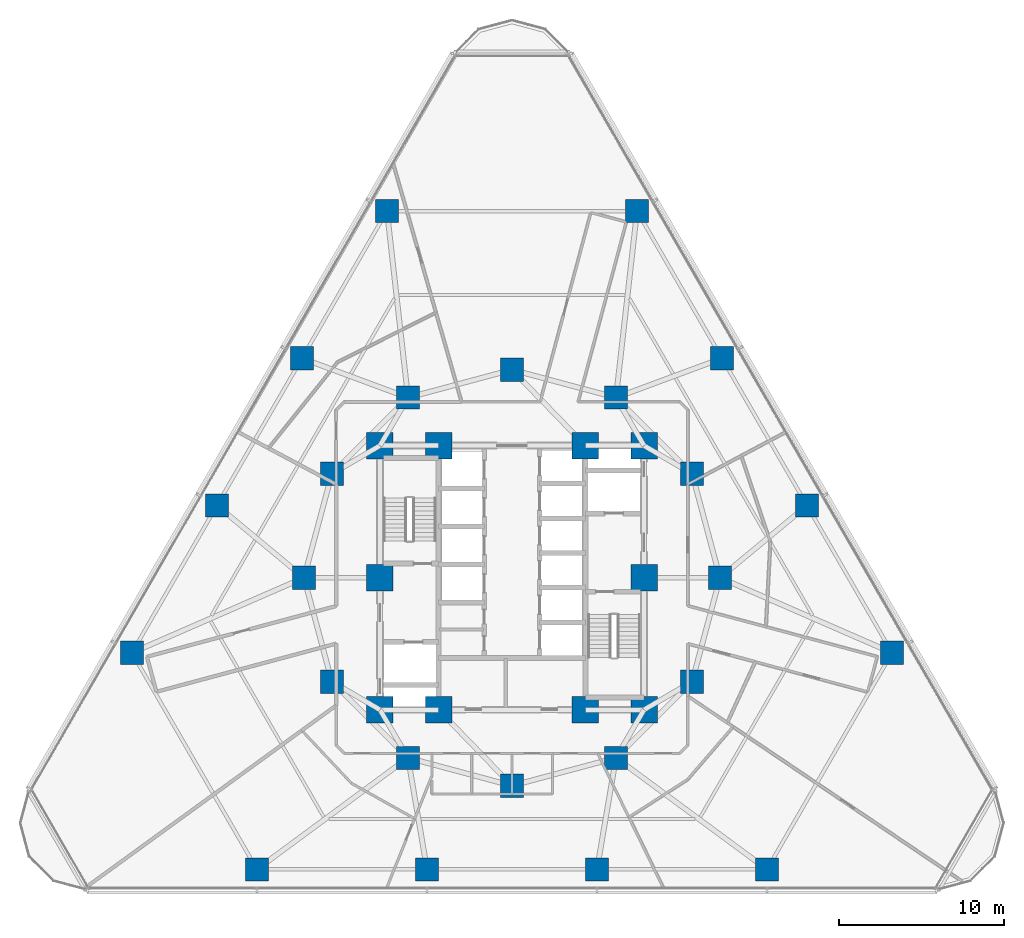
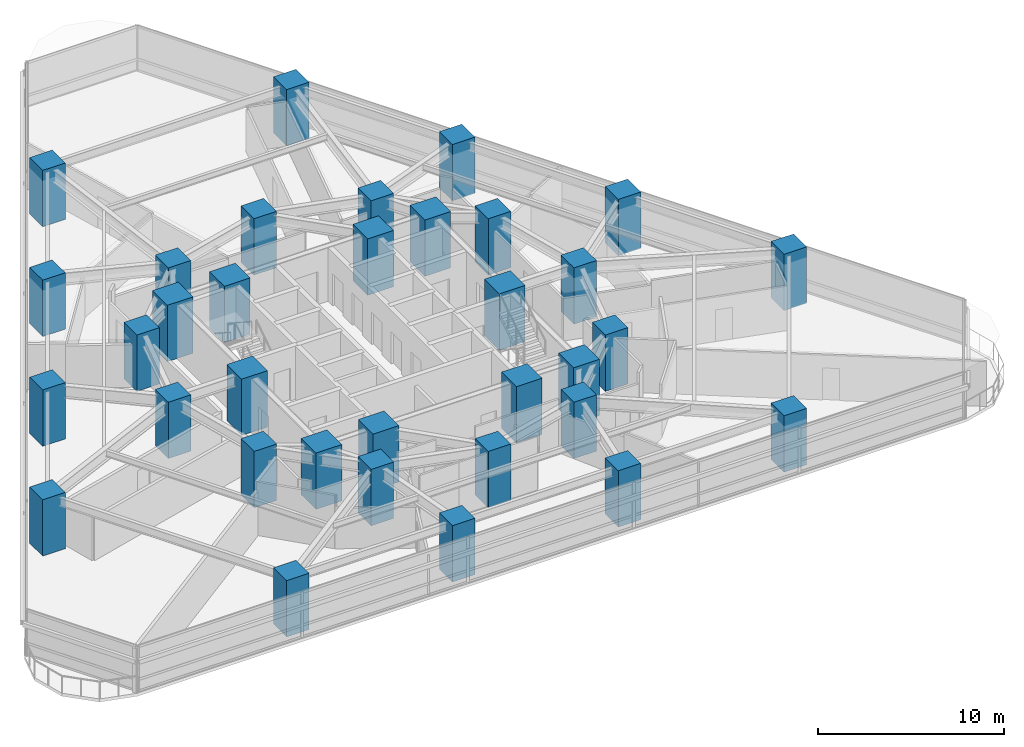
# One storey, part 1 of 16: 34 columns.
"""IFC4 building model written with IfcOpenShell, lengths in metres."""

import ifcopenshell
import ifcopenshell.guid

model = None  # the IFC model being written
_history = None  # IfcOwnerHistory: only IFC2X3 demands one
_inside = {}  # id of a spatial element -> (the spatial element, [elements in it])
_under = {}  # id of a project, library or spatial element -> (it, [spatial elements below it])
_declared = {}  # id of a project -> (the project, [libraries it declares])
_typed = {}  # id of a type object -> (the type object, [elements of that type])
_made_of = {}  # id of a material, layer set ... -> (it, [elements and type objects made of it])


def new_model(schema):
    """Start an empty IFC model of exactly this schema.

    Asked for "IFC4X3", IfcOpenShell would pick the latest addendum, in which some entities
    have other attributes; the version numbers below select the first issue.
    IFC2X3 requires an IfcOwnerHistory on every rooted entity: one is made here for all.
    """
    global model, _history
    if schema == "IFC4X3":
        model = ifcopenshell.file(schema_version=(4, 3, 0, 0))
    else:
        model = ifcopenshell.file(schema=schema)
    _inside.clear()
    _under.clear()
    _declared.clear()
    _typed.clear()
    _made_of.clear()
    _history = None
    if model.schema == "IFC2X3":
        org = make("IfcOrganization", Name="unknown")
        user = make(
            "IfcPersonAndOrganization",
            ThePerson=make("IfcPerson", FamilyName="unknown"),
            TheOrganization=org,
        )
        app = make(
            "IfcApplication",
            ApplicationDeveloper=org,
            Version="unknown",
            ApplicationFullName="unknown",
            ApplicationIdentifier="unknown",
        )
        _history = make(
            "IfcOwnerHistory",
            OwningUser=user,
            OwningApplication=app,
            ChangeAction="ADDED",
            CreationDate=0,
        )
    return model


def make(cls, **values):
    """One entity of the class cls with the attributes given. An attribute that is None is left unset."""
    return model.create_entity(
        cls, **{name: value for name, value in values.items() if value is not None}
    )


def rooted(cls, **values):
    """An entity with a GlobalId (a new one), such as an element, a storey or a relation."""
    return make(cls, GlobalId=ifcopenshell.guid.new(), OwnerHistory=_history, **values)


def si_unit(unit_type, name, prefix=None):
    """IfcSIUnit, for example si_unit("LENGTHUNIT", "METRE", prefix="MILLI")."""
    return make("IfcSIUnit", UnitType=unit_type, Prefix=prefix, Name=name)


def assignment(units):
    """IfcUnitAssignment: the units of a project."""
    return None if units is None else make("IfcUnitAssignment", Units=units)


def point(xyz):
    """IfcCartesianPoint."""
    return None if xyz is None else make("IfcCartesianPoint", Coordinates=xyz)


def direction(xyz):
    """IfcDirection."""
    return None if xyz is None else make("IfcDirection", DirectionRatios=xyz)


def frame(location, z_axis=None, x_axis=None):
    """IfcAxis2Placement3D, a coordinate frame: its origin and axes. An axis left out is left unset."""
    return make(
        "IfcAxis2Placement3D",
        Location=point(location),
        Axis=direction(z_axis),
        RefDirection=direction(x_axis),
    )


def frame_2d(location, x_axis=None):
    """IfcAxis2Placement2D, a coordinate frame in the plane: its origin and x axis."""
    return make(
        "IfcAxis2Placement2D", Location=point(location), RefDirection=direction(x_axis)
    )


def origin():
    """The frame at (0, 0, 0) with its axes left unset."""
    return frame((0.0, 0.0, 0.0))


def origin_2d():
    """The frame at (0, 0) in the plane with its x axis left unset."""
    return frame_2d((0.0, 0.0))


def place(relative_to, where):
    """IfcLocalPlacement: puts the frame where relative to a parent placement (None: the world)."""
    return make(
        "IfcLocalPlacement", PlacementRelTo=relative_to, RelativePlacement=where
    )


def context(
    kind, dimensions, precision=None, world=None, true_north=None, identifier=None
):
    """IfcGeometricRepresentationContext, for example the 3D "Model" context."""
    return make(
        "IfcGeometricRepresentationContext",
        ContextIdentifier=identifier,
        ContextType=kind,
        CoordinateSpaceDimension=dimensions,
        Precision=precision,
        WorldCoordinateSystem=world,
        TrueNorth=true_north,
    )


def subcontext(parent, identifier, kind, view, scale=None):
    """IfcGeometricRepresentationSubContext, for example "Body" below "Model"."""
    return make(
        "IfcGeometricRepresentationSubContext",
        ContextIdentifier=identifier,
        ContextType=kind,
        ParentContext=parent,
        TargetScale=scale,
        TargetView=view,
    )


def project(units=None, contexts=None):
    """IfcProject with its units and contexts."""
    return rooted(
        "IfcProject",
        Name="project",
        RepresentationContexts=contexts,
        UnitsInContext=assignment(units),
    )


def spatial(cls, under=None, at=None, **own):
    """A site, building, storey or space (cls), placed at a placement, below another one or the project."""
    s = rooted(cls, ObjectPlacement=at, **own)
    if under is not None:
        _under.setdefault(under.id(), (under, []))[1].append(s)
    return s


def profile(cls, at=None, kind="AREA", **sizes):
    """A parametric profile (cls). Its sizes go by their IFC names, for example OverallWidth=200.0."""
    return make(cls, ProfileType=kind, Position=at, **sizes)


def rectangle(**sizes):
    """IfcRectangleProfileDef."""
    return profile("IfcRectangleProfileDef", **sizes)


def extrude(swept, where, along, depth):
    """IfcExtrudedAreaSolid: the profile swept, set in the frame where, extruded along a direction by depth."""
    return make(
        "IfcExtrudedAreaSolid",
        SweptArea=swept,
        Position=where,
        ExtrudedDirection=direction(along),
        Depth=depth,
    )


def shape(context_of_items, identifier, shape_type, items):
    """IfcShapeRepresentation: the items that make up one representation, for example the "Body"."""
    return make(
        "IfcShapeRepresentation",
        ContextOfItems=context_of_items,
        RepresentationIdentifier=identifier,
        RepresentationType=shape_type,
        Items=items,
    )


def material(Name=None, Category=None):
    """IfcMaterial."""
    return make("IfcMaterial", Name=Name, Category=Category)


def material_profile(
    of_material, cross_section, Name=None, Category=None, Priority=None
):
    """IfcMaterialProfile: a cross section and its material."""
    return make(
        "IfcMaterialProfile",
        Name=Name,
        Material=of_material,
        Profile=cross_section,
        Priority=Priority,
        Category=Category,
    )


def profile_set(profiles, Name=None, composite=None):
    """IfcMaterialProfileSet."""
    return make(
        "IfcMaterialProfileSet",
        Name=Name,
        MaterialProfiles=profiles,
        CompositeProfile=composite,
    )


def made_of(thing, what):
    """Note that an element or type object is made of a material, layer set ...; save() writes the relation."""
    if what is not None:
        _made_of.setdefault(what.id(), (what, []))[1].append(thing)
    return thing


def type_object(cls, material=None, **own):
    """A type object (cls), such as IfcWallType, which elements share."""
    return made_of(rooted(cls, **own), material)


def element(
    cls,
    number,
    at=None,
    inside=None,
    cuts=None,
    type_object=None,
    material=None,
    context=None,
    identifier="Body",
    shape_type=None,
    held_by="IfcProductDefinitionShape",
    body=None,
    shapes=None,
    **own,
):
    """One element of the class cls, such as IfcWall. Its Tag is "e" and its number.

    at: its placement. inside: the storey or other place that contains it. cuts: it is an
    opening in that element (IfcRelVoidsElement). A single representation is given by context,
    identifier, shape_type and body (its items); several are given by shapes. held_by: the class
    of the entity that holds the representations. save() writes the other relations.
    """
    e = rooted(cls, Tag="e%d" % number, ObjectPlacement=at, **own)
    if body is not None:
        shapes = [shape(context, identifier, shape_type, body)]
    if shapes is not None:
        e.Representation = make(held_by, Representations=shapes)
    if inside is not None:
        _inside.setdefault(inside.id(), (inside, []))[1].append(e)
    if cuts is not None:
        rooted(
            "IfcRelVoidsElement", RelatingBuildingElement=cuts, RelatedOpeningElement=e
        )
    if type_object is not None:
        _typed.setdefault(type_object.id(), (type_object, []))[1].append(e)
    return made_of(e, material)


def aggregate(whole, parts):
    """IfcRelAggregates: a whole, such as a stair, and the parts it consists of."""
    return rooted("IfcRelAggregates", RelatingObject=whole, RelatedObjects=parts)


def save(model, path):
    """Write the relations noted so far, then the file.

    IfcRelAggregates (storeys below a building ...), IfcRelContainedInSpatialStructure (elements
    in a storey), IfcRelDefinesByType, IfcRelAssociatesMaterial and IfcRelDeclares: one each for
    every whole, place, type object, material and project.
    """
    for whole, parts in _under.values():
        aggregate(whole, parts)
    for where, things in _inside.values():
        rooted(
            "IfcRelContainedInSpatialStructure",
            RelatedElements=things,
            RelatingStructure=where,
        )
    for kind, things in _typed.values():
        rooted("IfcRelDefinesByType", RelatedObjects=things, RelatingType=kind)
    for what, things in _made_of.values():
        rooted("IfcRelAssociatesMaterial", RelatedObjects=things, RelatingMaterial=what)
    for by, libraries in _declared.values():
        rooted("IfcRelDeclares", RelatingContext=by, RelatedDefinitions=libraries)
    model.write(path)


model = new_model("IFC4")

# Units and contexts
model_context = context("Model", 3, precision=1e-05, world=origin(), true_north=direction((0.0, 1.0)))
body_context = subcontext(model_context, "Body", "Model", "MODEL_VIEW")
ifc_project = project(units=[si_unit("LENGTHUNIT", "METRE"), si_unit("AREAUNIT", "SQUARE_METRE"), si_unit("VOLUMEUNIT", "CUBIC_METRE"), si_unit("PLANEANGLEUNIT", "RADIAN"), si_unit("MASSUNIT", "GRAM", prefix="KILO")], contexts=[model_context])

# Site, building, storey
site_placement = place(None, origin())
site = spatial("IfcSite", under=ifc_project, at=site_placement, CompositionType="ELEMENT")
building_placement = place(site_placement, origin())
building = spatial("IfcBuilding", under=site, at=building_placement, Name="Terralouvre Media Tower", CompositionType="ELEMENT")
storey_placement = place(building_placement, frame((0.0, 0.0, 37.10009765625)))
storey = spatial("IfcBuildingStorey", under=building, at=storey_placement, Name="L08", CompositionType="ELEMENT", Elevation=37.10009765625)

# Columns
ifc_material_1 = material(Name="Concrete C60/75", Category="concrete")
ifc_material_profile_1 = material_profile(ifc_material_1, rectangle(XDim=1.39990234375, YDim=1.39990234375, at=origin_2d()), Name="RC 1400x1400")
ifc_profile_set_1 = profile_set([ifc_material_profile_1], Name="Concrete C60/75")
column_type_1 = type_object("IfcColumnType", Name="Structural Column C-RC1400 (RC 1400x1400)", PredefinedType="COLUMN", material=ifc_profile_set_1)
for number, where, z_axis, x_axis, name in (
    (1, (12.60009765625, 0.0, 0.0), (0.0, 0.0, 1.0), (1.0, 0.0, 0.0), "L08 Mega-Frame Column MC01"),
    (2, (10.911865234375, 6.300048828125, 0.0), (0.0, 0.0, 1.0), (1.0, 0.0, 0.0), "L08 Mega-Frame Column MC02"),
    (3, (6.300048828125, 10.911865234375, 0.0), (0.0, 0.0, 1.0), (1.0, 0.0, 0.0), "L08 Mega-Frame Column MC03"),
    (4, (0.0, 12.60009765625, 0.0), (0.0, 0.0, 1.0), (1.0, 0.0, 0.0), "L08 Mega-Frame Column MC04"),
    (5, (-6.300048828125, 10.911865234375, 0.0), (0.0, 0.0, 1.0), (1.0, 0.0, 0.0), "L08 Mega-Frame Column MC05"),
    (6, (-10.911865234375, 6.300048828125, 0.0), (0.0, 0.0, 1.0), (1.0, 0.0, 0.0), "L08 Mega-Frame Column MC06"),
    (7, (-12.60009765625, 0.0, 0.0), (0.0, 0.0, 1.0), (1.0, 0.0, 0.0), "L08 Mega-Frame Column MC07"),
    (8, (-10.911865234375, -6.300048828125, 0.0), (0.0, 0.0, 1.0), (1.0, 0.0, 0.0), "L08 Mega-Frame Column MC08"),
    (9, (-6.300048828125, -10.911865234375, 0.0), (0.0, 0.0, 1.0), (1.0, 0.0, 0.0), "L08 Mega-Frame Column MC09"),
    (10, (0.0, -12.60009765625, 0.0), (0.0, 0.0, 1.0), (1.0, 0.0, 0.0), "L08 Mega-Frame Column MC10"),
    (11, (6.300048828125, -10.911865234375, 0.0), (0.0, 0.0, 1.0), (1.0, 0.0, 0.0), "L08 Mega-Frame Column MC11"),
    (12, (10.911865234375, -6.300048828125, 0.0), (0.0, 0.0, 1.0), (1.0, 0.0, 0.0), "L08 Mega-Frame Column MC12"),
    (13, (-15.449951171875, -17.666748046875, 0.0), (0.0, 0.0, 1.0), (1.0, 0.0, 0.0), "L08 Perimeter Mega-Column PC11"),
    (14, (-5.14990234375, -17.666748046875, 0.0), (0.0, 0.0, 1.0), (1.0, 0.0, 0.0), "L08 Perimeter Mega-Column PC12"),
    (15, (5.14990234375, -17.666748046875, 0.0), (0.0, 0.0, 1.0), (1.0, 0.0, 0.0), "L08 Perimeter Mega-Column PC13"),
    (16, (15.449951171875, -17.666748046875, 0.0), (0.0, 0.0, 1.0), (1.0, 0.0, 0.0), "L08 Perimeter Mega-Column PC14"),
    (17, (23.02490234375, -4.546630859375, 0.0), (0.0, 0.0, 1.0), (1.0, 0.0, 0.0), "L08 Perimeter Mega-Column PC21"),
    (18, (17.874755859375, 4.373291015625, 0.0), (0.0, 0.0, 1.0), (1.0, 0.0, 0.0), "L08 Perimeter Mega-Column PC22"),
    (19, (12.724853515625, 13.29345703125, 0.0), (0.0, 0.0, 1.0), (1.0, 0.0, 0.0), "L08 Perimeter Mega-Column PC23"),
    (20, (7.574951171875, 22.21337890625, 0.0), (0.0, 0.0, 1.0), (1.0, 0.0, 0.0), "L08 Perimeter Mega-Column PC24"),
    (21, (-7.574951171875, 22.21337890625, 0.0), (0.0, 0.0, 1.0), (1.0, 0.0, 0.0), "L08 Perimeter Mega-Column PC31"),
    (22, (-12.724853515625, 13.29345703125, 0.0), (0.0, 0.0, 1.0), (1.0, 0.0, 0.0), "L08 Perimeter Mega-Column PC32"),
    (23, (-17.874755859375, 4.373291015625, 0.0), (0.0, 0.0, 1.0), (1.0, 0.0, 0.0), "L08 Perimeter Mega-Column PC33"),
    (24, (-23.02490234375, -4.546630859375, 0.0), (0.0, 0.0, 1.0), (1.0, 0.0, 0.0), "L08 Perimeter Mega-Column PC34"),
):
    element("IfcColumn", number, at=place(storey_placement, frame(where, z_axis=z_axis, x_axis=x_axis)), inside=storey, type_object=column_type_1, Name=name, PredefinedType="COLUMN", context=body_context, shape_type="SweptSolid", body=[
        extrude(rectangle(XDim=1.39990234375, YDim=1.39990234375, at=origin_2d()), origin(), (0.0, 0.0, 1.0), 3.699951171875),
    ])
ifc_material_2 = material(Name="Concrete C60/75", Category="concrete")
ifc_material_profile_2 = material_profile(ifc_material_2, rectangle(XDim=1.60009765625, YDim=1.60009765625, at=origin_2d()), Name="RC 1600x1600")
ifc_profile_set_2 = profile_set([ifc_material_profile_2], Name="Concrete C60/75")
column_type_2 = type_object("IfcColumnType", Name="Structural Column C-RC1600 (RC 1600x1600)", PredefinedType="COLUMN", material=ifc_profile_set_2)
for number, where, z_axis, x_axis, name in (
    (25, (-8.0, -8.0, 0.0), (0.0, 0.0, 1.0), (1.0, 0.0, 0.0), "L08 Core Pilaster Column CP1"),
    (26, (-4.449951171875, -8.0, 0.0), (0.0, 0.0, 1.0), (1.0, 0.0, 0.0), "L08 Core Pilaster Column CP2"),
    (27, (4.449951171875, -8.0, 0.0), (0.0, 0.0, 1.0), (1.0, 0.0, 0.0), "L08 Core Pilaster Column CP10"),
    (28, (8.0, -8.0, 0.0), (0.0, 0.0, 1.0), (1.0, 0.0, 0.0), "L08 Core Pilaster Column CP3"),
    (29, (8.0, 0.0, 0.0), (0.0, 0.0, 1.0), (1.0, 0.0, 0.0), "L08 Core Pilaster Column CP4"),
    (30, (8.0, 8.0, 0.0), (0.0, 0.0, 1.0), (1.0, 0.0, 0.0), "L08 Core Pilaster Column CP5"),
    (31, (4.449951171875, 8.0, 0.0), (0.0, 0.0, 1.0), (1.0, 0.0, 0.0), "L08 Core Pilaster Column CP9"),
    (32, (-4.449951171875, 8.0, 0.0), (0.0, 0.0, 1.0), (1.0, 0.0, 0.0), "L08 Core Pilaster Column CP6"),
    (33, (-8.0, 8.0, 0.0), (0.0, 0.0, 1.0), (1.0, 0.0, 0.0), "L08 Core Pilaster Column CP7"),
    (34, (-8.0, 0.0, 0.0), (0.0, 0.0, 1.0), (1.0, 0.0, 0.0), "L08 Core Pilaster Column CP8"),
):
    element("IfcColumn", number, at=place(storey_placement, frame(where, z_axis=z_axis, x_axis=x_axis)), inside=storey, type_object=column_type_2, Name=name, PredefinedType="COLUMN", context=body_context, shape_type="SweptSolid", body=[
        extrude(rectangle(XDim=1.60009765625, YDim=1.60009765625, at=origin_2d()), origin(), (0.0, 0.0, 1.0), 3.699951171875),
    ])

save(model, "model.ifc")
